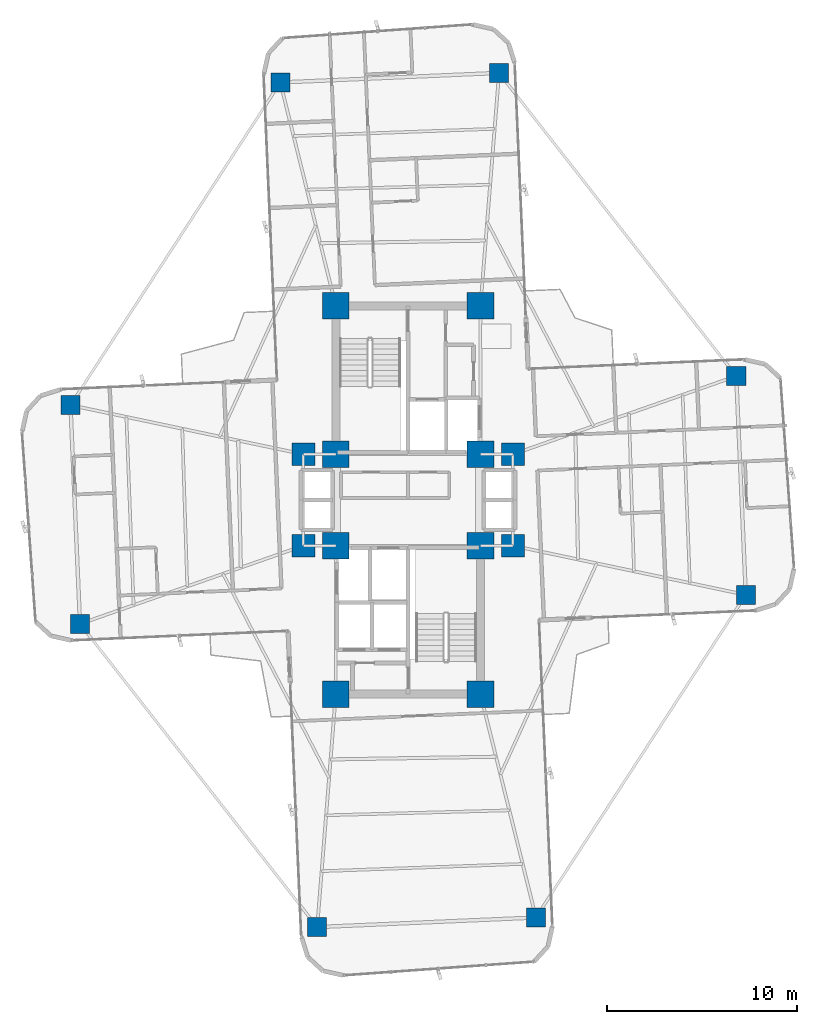
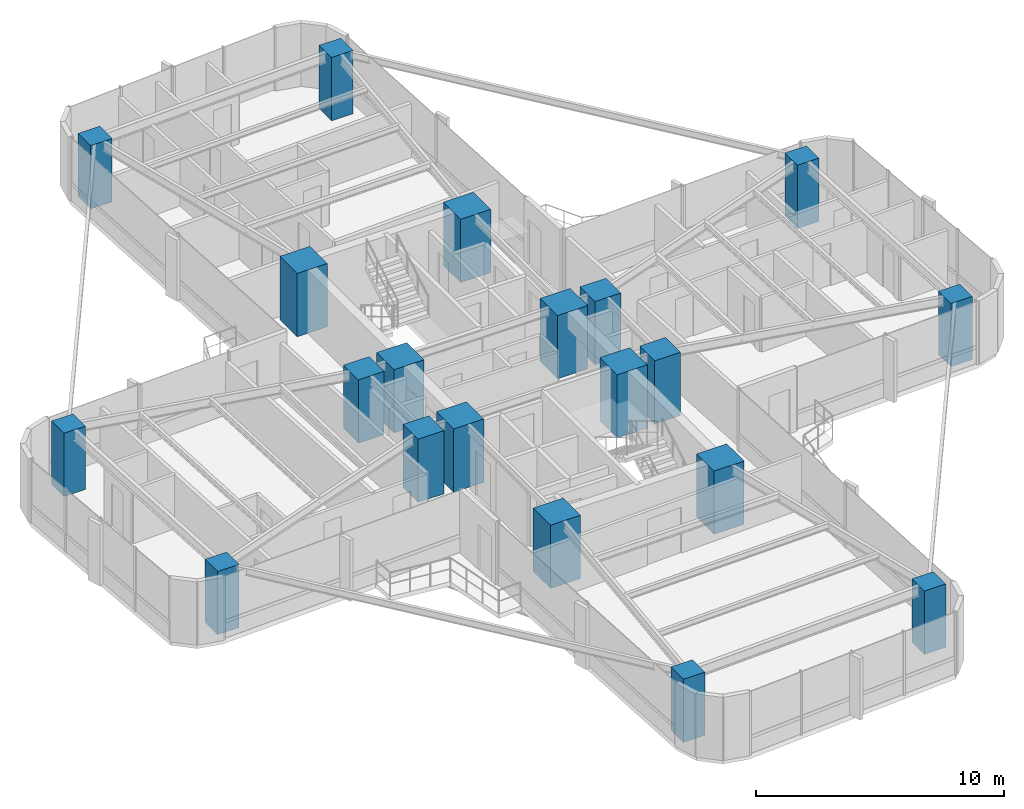
# One storey, part 1 of 26: 20 columns.
"""IFC4 building model written with IfcOpenShell, lengths in metres."""

from ifc_helpers import new_model, si_unit, direction, frame, origin, origin_2d, place, context, subcontext, project, spatial, rectangle, extrude, source, transform, mapped, material, material_profile, profile_set, type_object, element, save


model = new_model("IFC4")

# Units and contexts
model_context = context("Model", 3, precision=1e-05, world=origin(), true_north=direction((0.0, 1.0)))
body_context = subcontext(model_context, "Body", "Model", "MODEL_VIEW")
ifc_project = project(units=[si_unit("LENGTHUNIT", "METRE"), si_unit("AREAUNIT", "SQUARE_METRE"), si_unit("VOLUMEUNIT", "CUBIC_METRE"), si_unit("PLANEANGLEUNIT", "RADIAN"), si_unit("MASSUNIT", "GRAM", prefix="KILO")], contexts=[model_context])

# Site, building, storey
site_placement = place(None, origin())
site = spatial("IfcSite", under=ifc_project, at=site_placement, CompositionType="ELEMENT")
building_placement = place(site_placement, origin())
building = spatial("IfcBuilding", under=site, at=building_placement, Name="Sahyath Konkavel Grand Hotel", CompositionType="ELEMENT")
storey_placement = place(building_placement, frame((0.0, 0.0, 83.5)))
storey = spatial("IfcBuildingStorey", under=building, at=storey_placement, Name="L22", CompositionType="ELEMENT", Elevation=83.5)

# Columns
ifc_material_1 = material(Name="Concrete C70/85", Category="concrete")
ifc_material_profile_1 = material_profile(ifc_material_1, rectangle(XDim=1.39990234375, YDim=1.39990234375, at=origin_2d()), Name="RC 1400x1400")
ifc_profile_set_1 = profile_set([ifc_material_profile_1], Name="Concrete C70/85")
column_type_1 = type_object("IfcColumnType", Name="COL-RC1400", PredefinedType="COLUMN", material=ifc_profile_set_1)
shared_shape_1 = source(origin(), body_context, "Body", "SweptSolid", [
    extrude(rectangle(XDim=1.39990234375, YDim=1.39990234375, at=origin_2d()), origin(), (0.0, 0.0, 1.0), 3.110107421875),
])
for number, where, z_axis, x_axis, name in (
    (1, (-3.800048828125, 2.39990234375, 0.0), (0.0, 0.0, 1.0), (1.0, 0.0, 0.0), "L22 Core Boundary Column NC-SW"),
    (2, (3.800048828125, 2.39990234375, 0.0), (0.0, 0.0, 1.0), (1.0, 0.0, 0.0), "L22 Core Boundary Column NC-SE"),
    (3, (-3.800048828125, 10.199951171875, 0.0), (0.0, 0.0, 1.0), (1.0, 0.0, 0.0), "L22 Core Boundary Column NC-NW"),
    (4, (3.800048828125, 10.199951171875, 0.0), (0.0, 0.0, 1.0), (1.0, 0.0, 0.0), "L22 Core Boundary Column NC-NE"),
    (5, (-3.800048828125, -2.39990234375, 0.0), (0.0, 0.0, 1.0), (1.0, 0.0, 0.0), "L22 Core Boundary Column SC-NW"),
    (6, (3.800048828125, -2.39990234375, 0.0), (0.0, 0.0, 1.0), (1.0, 0.0, 0.0), "L22 Core Boundary Column SC-NE"),
    (7, (-3.800048828125, -10.199951171875, 0.0), (0.0, 0.0, 1.0), (1.0, 0.0, 0.0), "L22 Core Boundary Column SC-SW"),
    (8, (3.800048828125, -10.199951171875, 0.0), (0.0, 0.0, 1.0), (1.0, 0.0, 0.0), "L22 Core Boundary Column SC-SE"),
):
    element("IfcColumn", number, at=place(storey_placement, frame(where, z_axis=z_axis, x_axis=x_axis)), inside=storey, type_object=column_type_1, Name=name, PredefinedType="COLUMN", context=body_context, shape_type="MappedRepresentation", body=[
        mapped(shared_shape_1, transform((0.0, 0.0, 0.0), scale=1.0)),
    ])
ifc_material_2 = material(Name="Concrete C50/60", Category="concrete")
ifc_material_profile_2 = material_profile(ifc_material_2, rectangle(XDim=1.199951171875, YDim=1.199951171875, at=origin_2d()), Name="RC 1200x1200")
ifc_profile_set_2 = profile_set([ifc_material_profile_2], Name="Concrete C50/60")
column_type_2 = type_object("IfcColumnType", Name="COL-RC1200", PredefinedType="COLUMN", material=ifc_profile_set_2)
shared_shape_2 = source(origin(), body_context, "Body", "SweptSolid", [
    extrude(rectangle(XDim=1.199951171875, YDim=1.199951171875, at=origin_2d()), origin(), (0.0, 0.0, 1.0), 3.110107421875),
])
for number, where, z_axis, x_axis, name in (
    (9, (5.5, 2.39990234375, 0.0), (0.0, 0.0, 1.0), (1.0, 0.0, 0.0), "L22 Central Spine Column HB-NE"),
    (10, (-5.5, 2.39990234375, 0.0), (0.0, 0.0, 1.0), (1.0, 0.0, 0.0), "L22 Central Spine Column HB-NW"),
    (11, (5.5, -2.39990234375, 0.0), (0.0, 0.0, 1.0), (1.0, 0.0, 0.0), "L22 Central Spine Column HB-SE"),
    (12, (-5.5, -2.39990234375, 0.0), (0.0, 0.0, 1.0), (1.0, 0.0, 0.0), "L22 Central Spine Column HB-SW"),
):
    element("IfcColumn", number, at=place(storey_placement, frame(where, z_axis=z_axis, x_axis=x_axis)), inside=storey, type_object=column_type_2, Name=name, PredefinedType="COLUMN", context=body_context, shape_type="MappedRepresentation", body=[
        mapped(shared_shape_2, transform((0.0, 0.0, 0.0), scale=1.0)),
    ])
ifc_material_profile_3 = material_profile(ifc_material_2, rectangle(XDim=1.0, YDim=1.0, at=origin_2d()), Name="RC 1000x1000")
ifc_profile_set_3 = profile_set([ifc_material_profile_3], Name="Concrete C50/60")
column_type_3 = type_object("IfcColumnType", Name="COL-RC1000", PredefinedType="COLUMN", material=ifc_profile_set_3)
shared_shape_3 = source(origin(), body_context, "Body", "SweptSolid", [
    extrude(rectangle(XDim=1.0, YDim=1.0, at=origin_2d()), origin(), (0.0, 0.0, 1.0), 3.110107421875),
])
for number, where, z_axis, x_axis, name in (
    (13, (17.734130859375, -4.981201171875, 0.0), (0.0, 0.0, 1.0), (1.0, 0.0, 0.0), "L22 Cruciform Wing Column WC-EA"),
    (14, (17.232421875, 6.5078125, 0.0), (0.0, 0.0, 1.0), (1.0, 0.0, 0.0), "L22 Cruciform Wing Column WC-EB"),
    (15, (4.776123046875, 22.4296875, 0.0), (0.0, 0.0, 1.0), (1.0, 0.0, 0.0), "L22 Cruciform Wing Column WC-NA"),
    (16, (-6.712890625, 21.927978515625, 0.0), (0.0, 0.0, 1.0), (1.0, 0.0, 0.0), "L22 Cruciform Wing Column WC-NB"),
    (17, (-17.734130859375, 4.981201171875, 0.0), (0.0, 0.0, 1.0), (1.0, 0.0, 0.0), "L22 Cruciform Wing Column WC-WA"),
    (18, (-17.232421875, -6.5078125, 0.0), (0.0, 0.0, 1.0), (1.0, 0.0, 0.0), "L22 Cruciform Wing Column WC-WB"),
    (19, (-4.776123046875, -22.4296875, 0.0), (0.0, 0.0, 1.0), (1.0, 0.0, 0.0), "L22 Cruciform Wing Column WC-SA"),
    (20, (6.712890625, -21.927978515625, 0.0), (0.0, 0.0, 1.0), (1.0, 0.0, 0.0), "L22 Cruciform Wing Column WC-SB"),
):
    element("IfcColumn", number, at=place(storey_placement, frame(where, z_axis=z_axis, x_axis=x_axis)), inside=storey, type_object=column_type_3, Name=name, PredefinedType="COLUMN", context=body_context, shape_type="MappedRepresentation", body=[
        mapped(shared_shape_3, transform((0.0, 0.0, 0.0), scale=1.0)),
    ])

save(model, "model.ifc")
